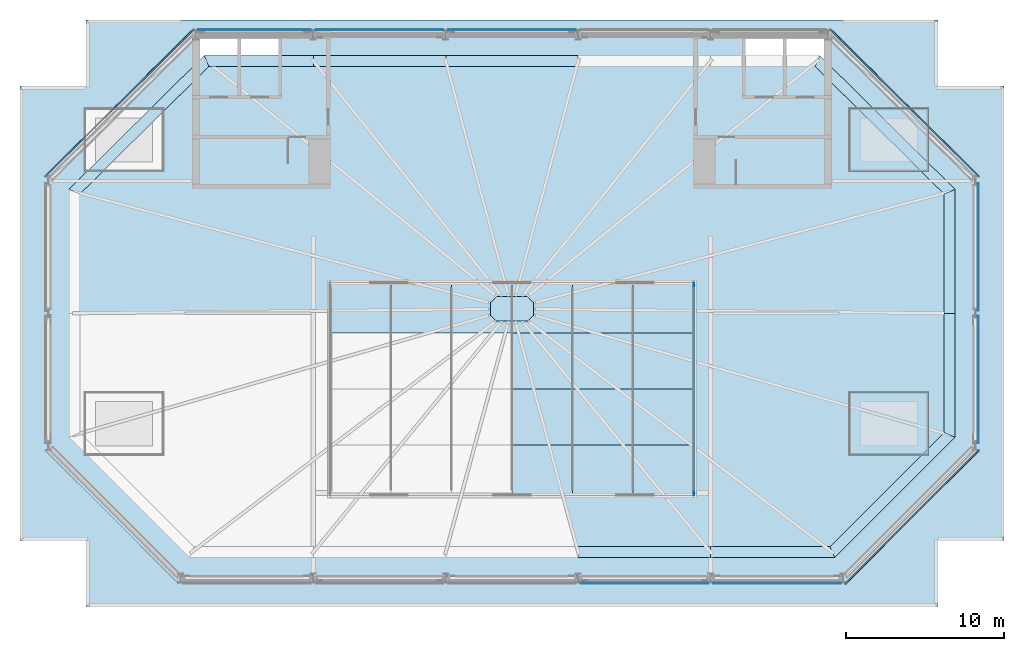
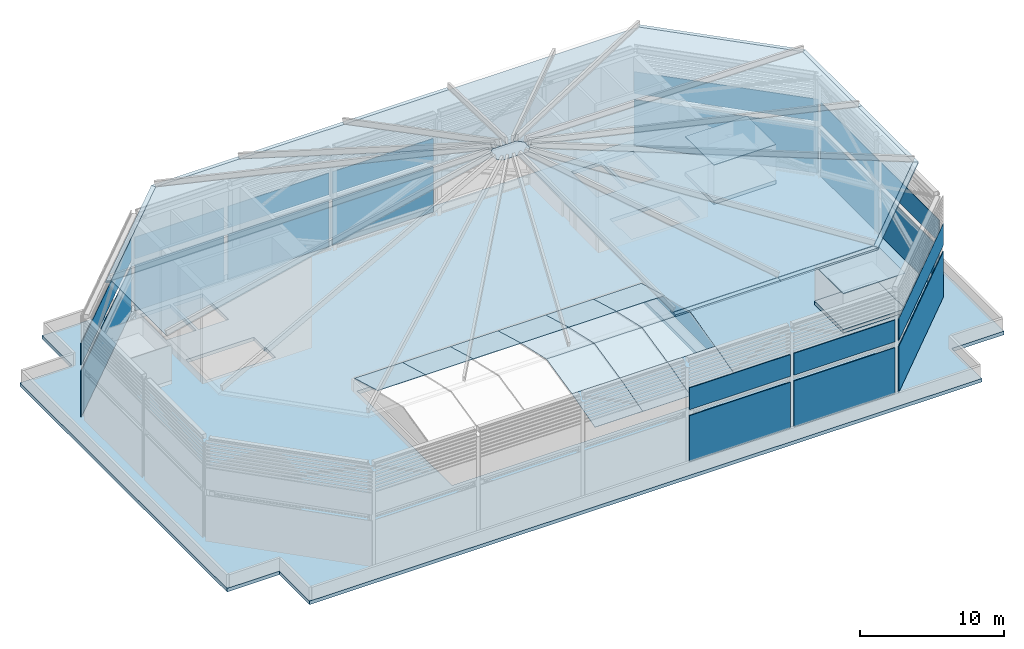
# One storey, part 6 of 22: 62 plates, 3 slabs.
"""IFC4 building model written with IfcOpenShell, lengths in metres."""

import ifcopenshell
import ifcopenshell.guid

model = None  # the IFC model being written
_history = None  # IfcOwnerHistory: only IFC2X3 demands one
_inside = {}  # id of a spatial element -> (the spatial element, [elements in it])
_under = {}  # id of a project, library or spatial element -> (it, [spatial elements below it])
_declared = {}  # id of a project -> (the project, [libraries it declares])
_typed = {}  # id of a type object -> (the type object, [elements of that type])
_made_of = {}  # id of a material, layer set ... -> (it, [elements and type objects made of it])


def new_model(schema):
    """Start an empty IFC model of exactly this schema.

    Asked for "IFC4X3", IfcOpenShell would pick the latest addendum, in which some entities
    have other attributes; the version numbers below select the first issue.
    IFC2X3 requires an IfcOwnerHistory on every rooted entity: one is made here for all.
    """
    global model, _history
    if schema == "IFC4X3":
        model = ifcopenshell.file(schema_version=(4, 3, 0, 0))
    else:
        model = ifcopenshell.file(schema=schema)
    _inside.clear()
    _under.clear()
    _declared.clear()
    _typed.clear()
    _made_of.clear()
    _history = None
    if model.schema == "IFC2X3":
        org = make("IfcOrganization", Name="unknown")
        user = make(
            "IfcPersonAndOrganization",
            ThePerson=make("IfcPerson", FamilyName="unknown"),
            TheOrganization=org,
        )
        app = make(
            "IfcApplication",
            ApplicationDeveloper=org,
            Version="unknown",
            ApplicationFullName="unknown",
            ApplicationIdentifier="unknown",
        )
        _history = make(
            "IfcOwnerHistory",
            OwningUser=user,
            OwningApplication=app,
            ChangeAction="ADDED",
            CreationDate=0,
        )
    return model


def make(cls, **values):
    """One entity of the class cls with the attributes given. An attribute that is None is left unset."""
    return model.create_entity(
        cls, **{name: value for name, value in values.items() if value is not None}
    )


def rooted(cls, **values):
    """An entity with a GlobalId (a new one), such as an element, a storey or a relation."""
    return make(cls, GlobalId=ifcopenshell.guid.new(), OwnerHistory=_history, **values)


def si_unit(unit_type, name, prefix=None):
    """IfcSIUnit, for example si_unit("LENGTHUNIT", "METRE", prefix="MILLI")."""
    return make("IfcSIUnit", UnitType=unit_type, Prefix=prefix, Name=name)


def assignment(units):
    """IfcUnitAssignment: the units of a project."""
    return None if units is None else make("IfcUnitAssignment", Units=units)


def point(xyz):
    """IfcCartesianPoint."""
    return None if xyz is None else make("IfcCartesianPoint", Coordinates=xyz)


def direction(xyz):
    """IfcDirection."""
    return None if xyz is None else make("IfcDirection", DirectionRatios=xyz)


def frame(location, z_axis=None, x_axis=None):
    """IfcAxis2Placement3D, a coordinate frame: its origin and axes. An axis left out is left unset."""
    return make(
        "IfcAxis2Placement3D",
        Location=point(location),
        Axis=direction(z_axis),
        RefDirection=direction(x_axis),
    )


def frame_2d(location, x_axis=None):
    """IfcAxis2Placement2D, a coordinate frame in the plane: its origin and x axis."""
    return make(
        "IfcAxis2Placement2D", Location=point(location), RefDirection=direction(x_axis)
    )


def origin():
    """The frame at (0, 0, 0) with its axes left unset."""
    return frame((0.0, 0.0, 0.0))


def origin_2d():
    """The frame at (0, 0) in the plane with its x axis left unset."""
    return frame_2d((0.0, 0.0))


def place(relative_to, where):
    """IfcLocalPlacement: puts the frame where relative to a parent placement (None: the world)."""
    return make(
        "IfcLocalPlacement", PlacementRelTo=relative_to, RelativePlacement=where
    )


def context(
    kind, dimensions, precision=None, world=None, true_north=None, identifier=None
):
    """IfcGeometricRepresentationContext, for example the 3D "Model" context."""
    return make(
        "IfcGeometricRepresentationContext",
        ContextIdentifier=identifier,
        ContextType=kind,
        CoordinateSpaceDimension=dimensions,
        Precision=precision,
        WorldCoordinateSystem=world,
        TrueNorth=true_north,
    )


def subcontext(parent, identifier, kind, view, scale=None):
    """IfcGeometricRepresentationSubContext, for example "Body" below "Model"."""
    return make(
        "IfcGeometricRepresentationSubContext",
        ContextIdentifier=identifier,
        ContextType=kind,
        ParentContext=parent,
        TargetScale=scale,
        TargetView=view,
    )


def project(units=None, contexts=None):
    """IfcProject with its units and contexts."""
    return rooted(
        "IfcProject",
        Name="project",
        RepresentationContexts=contexts,
        UnitsInContext=assignment(units),
    )


def spatial(cls, under=None, at=None, **own):
    """A site, building, storey or space (cls), placed at a placement, below another one or the project."""
    s = rooted(cls, ObjectPlacement=at, **own)
    if under is not None:
        _under.setdefault(under.id(), (under, []))[1].append(s)
    return s


def polyline(points):
    """IfcPolyline through the points."""
    return make("IfcPolyline", Points=[point(p) for p in points])


def profile(cls, at=None, kind="AREA", **sizes):
    """A parametric profile (cls). Its sizes go by their IFC names, for example OverallWidth=200.0."""
    return make(cls, ProfileType=kind, Position=at, **sizes)


def rectangle(**sizes):
    """IfcRectangleProfileDef."""
    return profile("IfcRectangleProfileDef", **sizes)


def outline(outer, holes=None, kind="AREA"):
    """IfcArbitraryClosedProfileDef: a profile drawn as a closed curve; with holes, ...WithVoids."""
    if holes is None:
        return make("IfcArbitraryClosedProfileDef", ProfileType=kind, OuterCurve=outer)
    return make(
        "IfcArbitraryProfileDefWithVoids",
        ProfileType=kind,
        OuterCurve=outer,
        InnerCurves=holes,
    )


def extrude(swept, where, along, depth):
    """IfcExtrudedAreaSolid: the profile swept, set in the frame where, extruded along a direction by depth."""
    return make(
        "IfcExtrudedAreaSolid",
        SweptArea=swept,
        Position=where,
        ExtrudedDirection=direction(along),
        Depth=depth,
    )


def shape(context_of_items, identifier, shape_type, items):
    """IfcShapeRepresentation: the items that make up one representation, for example the "Body"."""
    return make(
        "IfcShapeRepresentation",
        ContextOfItems=context_of_items,
        RepresentationIdentifier=identifier,
        RepresentationType=shape_type,
        Items=items,
    )


def material(Name=None, Category=None):
    """IfcMaterial."""
    return make("IfcMaterial", Name=Name, Category=Category)


def layer(
    of_material, thickness, ventilated=None, Name=None, Category=None, Priority=None
):
    """IfcMaterialLayer: one layer of a wall or slab, of a material (None: an air gap)."""
    return make(
        "IfcMaterialLayer",
        Material=of_material,
        LayerThickness=thickness,
        IsVentilated=ventilated,
        Name=Name,
        Category=Category,
        Priority=Priority,
    )


def layer_set(layers, Name=None):
    """IfcMaterialLayerSet."""
    return make("IfcMaterialLayerSet", MaterialLayers=layers, LayerSetName=Name)


def made_of(thing, what):
    """Note that an element or type object is made of a material, layer set ...; save() writes the relation."""
    if what is not None:
        _made_of.setdefault(what.id(), (what, []))[1].append(thing)
    return thing


def type_object(cls, material=None, **own):
    """A type object (cls), such as IfcWallType, which elements share."""
    return made_of(rooted(cls, **own), material)


def element(
    cls,
    number,
    at=None,
    inside=None,
    cuts=None,
    type_object=None,
    material=None,
    context=None,
    identifier="Body",
    shape_type=None,
    held_by="IfcProductDefinitionShape",
    body=None,
    shapes=None,
    **own,
):
    """One element of the class cls, such as IfcWall. Its Tag is "e" and its number.

    at: its placement. inside: the storey or other place that contains it. cuts: it is an
    opening in that element (IfcRelVoidsElement). A single representation is given by context,
    identifier, shape_type and body (its items); several are given by shapes. held_by: the class
    of the entity that holds the representations. save() writes the other relations.
    """
    e = rooted(cls, Tag="e%d" % number, ObjectPlacement=at, **own)
    if body is not None:
        shapes = [shape(context, identifier, shape_type, body)]
    if shapes is not None:
        e.Representation = make(held_by, Representations=shapes)
    if inside is not None:
        _inside.setdefault(inside.id(), (inside, []))[1].append(e)
    if cuts is not None:
        rooted(
            "IfcRelVoidsElement", RelatingBuildingElement=cuts, RelatedOpeningElement=e
        )
    if type_object is not None:
        _typed.setdefault(type_object.id(), (type_object, []))[1].append(e)
    return made_of(e, material)


def aggregate(whole, parts):
    """IfcRelAggregates: a whole, such as a stair, and the parts it consists of."""
    return rooted("IfcRelAggregates", RelatingObject=whole, RelatedObjects=parts)


def save(model, path):
    """Write the relations noted so far, then the file.

    IfcRelAggregates (storeys below a building ...), IfcRelContainedInSpatialStructure (elements
    in a storey), IfcRelDefinesByType, IfcRelAssociatesMaterial and IfcRelDeclares: one each for
    every whole, place, type object, material and project.
    """
    for whole, parts in _under.values():
        aggregate(whole, parts)
    for where, things in _inside.values():
        rooted(
            "IfcRelContainedInSpatialStructure",
            RelatedElements=things,
            RelatingStructure=where,
        )
    for kind, things in _typed.values():
        rooted("IfcRelDefinesByType", RelatedObjects=things, RelatingType=kind)
    for what, things in _made_of.values():
        rooted("IfcRelAssociatesMaterial", RelatedObjects=things, RelatingMaterial=what)
    for by, libraries in _declared.values():
        rooted("IfcRelDeclares", RelatingContext=by, RelatedDefinitions=libraries)
    model.write(path)


model = new_model("IFC4")

# Units and contexts
model_context = context("Model", 3, precision=1e-05, world=origin(), true_north=direction((0.0, 1.0)))
body_context = subcontext(model_context, "Body", "Model", "MODEL_VIEW")
ifc_project = project(units=[si_unit("LENGTHUNIT", "METRE"), si_unit("AREAUNIT", "SQUARE_METRE"), si_unit("VOLUMEUNIT", "CUBIC_METRE"), si_unit("PLANEANGLEUNIT", "RADIAN"), si_unit("MASSUNIT", "GRAM", prefix="KILO")], contexts=[model_context])

# Site, building, storey
site_placement = place(None, origin())
site = spatial("IfcSite", under=ifc_project, at=site_placement, CompositionType="ELEMENT")
building_placement = place(site_placement, origin())
building = spatial("IfcBuilding", under=site, at=building_placement, Name="Saffron Gate Tower", CompositionType="ELEMENT")
storey_placement = place(building_placement, frame((0.0, 0.0, 314.85009765625)))
storey = spatial("IfcBuildingStorey", under=building, at=storey_placement, Name="Roof crown", CompositionType="ELEMENT", Elevation=314.85009765625)

# Plates
ifc_material_1 = material(Name="Bronze-anodised aluminium cap", Category="aluminium")
ifc_layer_1 = layer(ifc_material_1, 0.14990234375)
ifc_layer_set_1 = layer_set([ifc_layer_1], Name="CP1 crown ring cap")
plate_type_1 = type_object("IfcPlateType", Name="CP1 crown ring cap", PredefinedType="SHEET", material=ifc_layer_set_1)
plate_1_placement = place(storey_placement, frame((0.0, 0.0, 11.349853515625)))
element("IfcPlate", 1, at=plate_1_placement, inside=storey, type_object=plate_type_1, Name="CROWN RING CAP", PredefinedType="SHEET", context=body_context, shape_type="SweptSolid", body=[
    extrude(outline(polyline([(91.800048828125, 42.199951171875), (100.199951171875, 42.199951171875), (100.199951171875, 41.5), (91.800048828125, 41.5), (91.800048828125, 42.199951171875)])), origin(), (0.0, 0.0, 1.0), 0.150146484375),
])
plate_2_placement = place(storey_placement, frame((0.0, 0.0, 11.349853515625)))
element("IfcPlate", 2, at=plate_2_placement, inside=storey, type_object=plate_type_1, Name="CROWN RING CAP", PredefinedType="SHEET", context=body_context, shape_type="SweptSolid", body=[
    extrude(outline(polyline([(100.199951171875, 42.199951171875), (107.771484375, 42.199951171875), (108.0615234375, 41.5), (100.199951171875, 41.5), (100.199951171875, 42.199951171875)])), origin(), (0.0, 0.0, 1.0), 0.150146484375),
])
plate_3_placement = place(storey_placement, frame((0.0, 0.0, 11.349853515625)))
element("IfcPlate", 3, at=plate_3_placement, inside=storey, type_object=plate_type_1, Name="CROWN RING CAP", PredefinedType="SHEET", context=body_context, shape_type="SweptSolid", body=[
    extrude(outline(polyline([(107.771484375, 42.199951171875), (115.0, 49.428466796875), (115.699951171875, 49.138427734375), (108.0615234375, 41.5), (107.771484375, 42.199951171875)])), origin(), (0.0, 0.0, 1.0), 0.150146484375),
])
plate_4_placement = place(storey_placement, frame((0.0, 0.0, 11.349853515625)))
element("IfcPlate", 4, at=plate_4_placement, inside=storey, type_object=plate_type_1, Name="CROWN RING CAP", PredefinedType="SHEET", context=body_context, shape_type="SweptSolid", body=[
    extrude(outline(polyline([(115.0, 49.428466796875), (115.0, 57.0), (115.699951171875, 57.0), (115.699951171875, 49.138427734375), (115.0, 49.428466796875)])), origin(), (0.0, 0.0, 1.0), 0.150146484375),
])
plate_5_placement = place(storey_placement, frame((0.0, 0.0, 11.349853515625)))
element("IfcPlate", 5, at=plate_5_placement, inside=storey, type_object=plate_type_1, Name="CROWN RING CAP", PredefinedType="SHEET", context=body_context, shape_type="SweptSolid", body=[
    extrude(outline(polyline([(115.0, 57.0), (115.0, 64.565185546875), (115.699951171875, 64.857421875), (115.699951171875, 57.0), (115.0, 57.0)])), origin(), (0.0, 0.0, 1.0), 0.150146484375),
])
plate_6_placement = place(storey_placement, frame((0.0, 0.0, 11.349853515625)))
element("IfcPlate", 6, at=plate_6_placement, inside=storey, type_object=plate_type_1, Name="CROWN RING CAP", PredefinedType="SHEET", context=body_context, shape_type="SweptSolid", body=[
    extrude(outline(polyline([(115.0, 64.565185546875), (106.827880859375, 72.64990234375), (107.115478515625, 73.35009765625), (115.699951171875, 64.857421875), (115.0, 64.565185546875)])), origin(), (0.0, 0.0, 1.0), 0.150146484375),
])
plate_7_placement = place(storey_placement, frame((0.0, 0.0, 11.349853515625)))
element("IfcPlate", 7, at=plate_7_placement, inside=storey, type_object=plate_type_1, Name="CROWN RING CAP", PredefinedType="SHEET", context=body_context, shape_type="SweptSolid", body=[
    extrude(outline(polyline([(91.800048828125, 72.64990234375), (83.39990234375, 72.64990234375), (83.39990234375, 73.35009765625), (91.800048828125, 73.35009765625), (91.800048828125, 72.64990234375)])), origin(), (0.0, 0.0, 1.0), 0.150146484375),
])
plate_8_placement = place(storey_placement, frame((0.0, 0.0, 11.349853515625)))
element("IfcPlate", 8, at=plate_8_placement, inside=storey, type_object=plate_type_1, Name="CROWN RING CAP", PredefinedType="SHEET", context=body_context, shape_type="SweptSolid", body=[
    extrude(outline(polyline([(83.39990234375, 72.64990234375), (75.0, 72.64990234375), (75.0, 73.35009765625), (83.39990234375, 73.35009765625), (83.39990234375, 72.64990234375)])), origin(), (0.0, 0.0, 1.0), 0.150146484375),
])
plate_9_placement = place(storey_placement, frame((0.0, 0.0, 11.349853515625)))
element("IfcPlate", 9, at=plate_9_placement, inside=storey, type_object=plate_type_1, Name="CROWN RING CAP", PredefinedType="SHEET", context=body_context, shape_type="SweptSolid", body=[
    extrude(outline(polyline([(75.0, 72.64990234375), (68.3720703125, 72.64990234375), (68.08447265625, 73.35009765625), (75.0, 73.35009765625), (75.0, 72.64990234375)])), origin(), (0.0, 0.0, 1.0), 0.150146484375),
])
plate_10_placement = place(storey_placement, frame((0.0, 0.0, 11.349853515625)))
element("IfcPlate", 10, at=plate_10_placement, inside=storey, type_object=plate_type_1, Name="CROWN RING CAP", PredefinedType="SHEET", context=body_context, shape_type="SweptSolid", body=[
    extrude(outline(polyline([(68.3720703125, 72.64990234375), (60.199951171875, 64.565185546875), (59.5, 64.857421875), (68.08447265625, 73.35009765625), (68.3720703125, 72.64990234375)])), origin(), (0.0, 0.0, 1.0), 0.150146484375),
])
ifc_material_2 = material(Name="Perforated bronze sheet, geometric pattern")
ifc_layer_2 = layer(ifc_material_2, 0.06005859375)
ifc_layer_set_2 = layer_set([ifc_layer_2], Name="CS1 crown screen")
plate_type_2 = type_object("IfcPlateType", Name="CS1 crown screen", PredefinedType="SHEET", material=ifc_layer_set_2)
plate_11_placement = place(storey_placement, frame((96.0, 39.8701171875, 0.0), z_axis=(0.0, 0.0, 1.0), x_axis=(1.0, 0.0, 0.0)))
element("IfcPlate", 11, at=plate_11_placement, inside=storey, type_object=plate_type_2, Name="CROWN SCREEN geometric 4", PredefinedType="SHEET", context=body_context, shape_type="SweptSolid", body=[
    extrude(rectangle(XDim=8.10009765625, YDim=0.06005859375, at=origin_2d()), origin(), (0.0, 0.0, 1.0), 3.89990234375),
])
plate_12_placement = place(storey_placement, frame((96.0, 39.8701171875, 4.39990234375), z_axis=(0.0, 0.0, 1.0), x_axis=(1.0, 0.0, 0.0)))
element("IfcPlate", 12, at=plate_12_placement, inside=storey, type_object=plate_type_2, Name="CROWN SCREEN geometric 4", PredefinedType="SHEET", context=body_context, shape_type="SweptSolid", body=[
    extrude(rectangle(XDim=8.10009765625, YDim=0.06005859375, at=origin_2d()), origin(), (0.0, 0.0, 1.0), 1.85009765625),
])
plate_13_placement = place(storey_placement, frame((104.39990234375, 39.8701171875, 0.0), z_axis=(0.0, 0.0, 1.0), x_axis=(1.0, 0.0, 0.0)))
element("IfcPlate", 13, at=plate_13_placement, inside=storey, type_object=plate_type_2, Name="CROWN SCREEN geometric 5", PredefinedType="SHEET", context=body_context, shape_type="SweptSolid", body=[
    extrude(rectangle(XDim=8.10009765625, YDim=0.06005859375, at=origin_2d()), origin(), (0.0, 0.0, 1.0), 3.89990234375),
])
plate_14_placement = place(storey_placement, frame((104.39990234375, 39.8701171875, 4.39990234375), z_axis=(0.0, 0.0, 1.0), x_axis=(1.0, 0.0, 0.0)))
element("IfcPlate", 14, at=plate_14_placement, inside=storey, type_object=plate_type_2, Name="CROWN SCREEN geometric 5", PredefinedType="SHEET", context=body_context, shape_type="SweptSolid", body=[
    extrude(rectangle(XDim=8.10009765625, YDim=0.06005859375, at=origin_2d()), origin(), (0.0, 0.0, 1.0), 1.85009765625),
])
plate_15_placement = place(storey_placement, frame((112.970703125, 44.079345703125, 0.0), z_axis=(0.0, 0.0, 1.0), x_axis=(0.707106781187, 0.707106781187, 0.0)))
element("IfcPlate", 15, at=plate_15_placement, inside=storey, type_object=plate_type_2, Name="CROWN SCREEN geometric 6", PredefinedType="SHEET", context=body_context, shape_type="SweptSolid", body=[
    extrude(rectangle(XDim=11.9794921875, YDim=0.06005859375, at=origin_2d()), origin(), (0.0, 0.0, 1.0), 3.89990234375),
])
plate_16_placement = place(storey_placement, frame((112.970703125, 44.079345703125, 4.39990234375), z_axis=(0.0, 0.0, 1.0), x_axis=(0.707106781187, 0.707106781187, 0.0)))
element("IfcPlate", 16, at=plate_16_placement, inside=storey, type_object=plate_type_2, Name="CROWN SCREEN geometric 6", PredefinedType="SHEET", context=body_context, shape_type="SweptSolid", body=[
    extrude(rectangle(XDim=11.9794921875, YDim=0.06005859375, at=origin_2d()), origin(), (0.0, 0.0, 1.0), 1.85009765625),
])
plate_17_placement = place(storey_placement, frame((117.179931640625, 52.800048828125, 0.0), z_axis=(0.0, 0.0, 1.0), x_axis=(0.0, 1.0, 0.0)))
element("IfcPlate", 17, at=plate_17_placement, inside=storey, type_object=plate_type_2, Name="CROWN SCREEN geometric 7", PredefinedType="SHEET", context=body_context, shape_type="SweptSolid", body=[
    extrude(rectangle(XDim=8.10009765625, YDim=0.06005859375, at=origin_2d()), origin(), (0.0, 0.0, 1.0), 3.89990234375),
])
plate_18_placement = place(storey_placement, frame((117.179931640625, 52.800048828125, 4.39990234375), z_axis=(0.0, 0.0, 1.0), x_axis=(0.0, 1.0, 0.0)))
element("IfcPlate", 18, at=plate_18_placement, inside=storey, type_object=plate_type_2, Name="CROWN SCREEN geometric 7", PredefinedType="SHEET", context=body_context, shape_type="SweptSolid", body=[
    extrude(rectangle(XDim=8.10009765625, YDim=0.06005859375, at=origin_2d()), origin(), (0.0, 0.0, 1.0), 1.85009765625),
])
plate_19_placement = place(storey_placement, frame((117.179931640625, 61.199951171875, 0.0), z_axis=(0.0, 0.0, 1.0), x_axis=(0.0, 1.0, 0.0)))
element("IfcPlate", 19, at=plate_19_placement, inside=storey, type_object=plate_type_2, Name="CROWN SCREEN geometric 8", PredefinedType="SHEET", context=body_context, shape_type="SweptSolid", body=[
    extrude(rectangle(XDim=8.10009765625, YDim=0.06005859375, at=origin_2d()), origin(), (0.0, 0.0, 1.0), 3.89990234375),
])
plate_20_placement = place(storey_placement, frame((117.179931640625, 61.199951171875, 4.39990234375), z_axis=(0.0, 0.0, 1.0), x_axis=(0.0, 1.0, 0.0)))
element("IfcPlate", 20, at=plate_20_placement, inside=storey, type_object=plate_type_2, Name="CROWN SCREEN geometric 8", PredefinedType="SHEET", context=body_context, shape_type="SweptSolid", body=[
    extrude(rectangle(XDim=8.10009765625, YDim=0.06005859375, at=origin_2d()), origin(), (0.0, 0.0, 1.0), 1.85009765625),
])
plate_21_placement = place(storey_placement, frame((112.49560546875, 70.345703125, 0.0), z_axis=(0.0, 0.0, 1.0), x_axis=(-0.710898156335, 0.703294967507, 0.0)))
element("IfcPlate", 21, at=plate_21_placement, inside=storey, type_object=plate_type_2, Name="CROWN SCREEN geometric 9", PredefinedType="SHEET", context=body_context, shape_type="SweptSolid", body=[
    extrude(rectangle(XDim=13.25244140625, YDim=0.06005859375, at=origin_2d()), origin(), (0.0, 0.0, 1.0), 3.89990234375),
])
plate_22_placement = place(storey_placement, frame((112.49560546875, 70.345703125, 4.39990234375), z_axis=(0.0, 0.0, 1.0), x_axis=(-0.710898156335, 0.703294967507, 0.0)))
element("IfcPlate", 22, at=plate_22_placement, inside=storey, type_object=plate_type_2, Name="CROWN SCREEN geometric 9", PredefinedType="SHEET", context=body_context, shape_type="SweptSolid", body=[
    extrude(rectangle(XDim=13.25244140625, YDim=0.06005859375, at=origin_2d()), origin(), (0.0, 0.0, 1.0), 1.85009765625),
])
plate_23_placement = place(storey_placement, frame((87.60009765625, 74.97998046875, 0.0), z_axis=(0.0, 0.0, 1.0), x_axis=(-1.0, 0.0, 0.0)))
element("IfcPlate", 23, at=plate_23_placement, inside=storey, type_object=plate_type_2, Name="CROWN SCREEN geometric 12", PredefinedType="SHEET", context=body_context, shape_type="SweptSolid", body=[
    extrude(rectangle(XDim=8.10009765625, YDim=0.06005859375, at=origin_2d()), origin(), (0.0, 0.0, 1.0), 3.89990234375),
])
plate_24_placement = place(storey_placement, frame((87.60009765625, 74.97998046875, 4.39990234375), z_axis=(0.0, 0.0, 1.0), x_axis=(-1.0, 0.0, 0.0)))
element("IfcPlate", 24, at=plate_24_placement, inside=storey, type_object=plate_type_2, Name="CROWN SCREEN geometric 12", PredefinedType="SHEET", context=body_context, shape_type="SweptSolid", body=[
    extrude(rectangle(XDim=8.10009765625, YDim=0.06005859375, at=origin_2d()), origin(), (0.0, 0.0, 1.0), 1.85009765625),
])
plate_25_placement = place(storey_placement, frame((79.199951171875, 74.97998046875, 0.0), z_axis=(0.0, 0.0, 1.0), x_axis=(-1.0, 0.0, 0.0)))
element("IfcPlate", 25, at=plate_25_placement, inside=storey, type_object=plate_type_2, Name="CROWN SCREEN geometric 13", PredefinedType="SHEET", context=body_context, shape_type="SweptSolid", body=[
    extrude(rectangle(XDim=8.10009765625, YDim=0.06005859375, at=origin_2d()), origin(), (0.0, 0.0, 1.0), 3.89990234375),
])
plate_26_placement = place(storey_placement, frame((79.199951171875, 74.97998046875, 4.39990234375), z_axis=(0.0, 0.0, 1.0), x_axis=(-1.0, 0.0, 0.0)))
element("IfcPlate", 26, at=plate_26_placement, inside=storey, type_object=plate_type_2, Name="CROWN SCREEN geometric 13", PredefinedType="SHEET", context=body_context, shape_type="SweptSolid", body=[
    extrude(rectangle(XDim=8.10009765625, YDim=0.06005859375, at=origin_2d()), origin(), (0.0, 0.0, 1.0), 1.85009765625),
])
plate_27_placement = place(storey_placement, frame((71.27490234375, 74.97998046875, 0.0), z_axis=(0.0, 0.0, 1.0), x_axis=(-1.0, 0.0, 0.0)))
element("IfcPlate", 27, at=plate_27_placement, inside=storey, type_object=plate_type_2, Name="CROWN SCREEN geometric 14", PredefinedType="SHEET", context=body_context, shape_type="SweptSolid", body=[
    extrude(rectangle(XDim=7.14990234375, YDim=0.06005859375, at=origin_2d()), origin(), (0.0, 0.0, 1.0), 3.89990234375),
])
plate_28_placement = place(storey_placement, frame((71.27490234375, 74.97998046875, 4.39990234375), z_axis=(0.0, 0.0, 1.0), x_axis=(-1.0, 0.0, 0.0)))
element("IfcPlate", 28, at=plate_28_placement, inside=storey, type_object=plate_type_2, Name="CROWN SCREEN geometric 14", PredefinedType="SHEET", context=body_context, shape_type="SweptSolid", body=[
    extrude(rectangle(XDim=7.14990234375, YDim=0.06005859375, at=origin_2d()), origin(), (0.0, 0.0, 1.0), 1.85009765625),
])
plate_29_placement = place(storey_placement, frame((62.704345703125, 70.345703125, 0.0), z_axis=(0.0, 0.0, 1.0), x_axis=(-0.710898156335, -0.703294967507, 0.0)))
element("IfcPlate", 29, at=plate_29_placement, inside=storey, type_object=plate_type_2, Name="CROWN SCREEN geometric 15", PredefinedType="SHEET", context=body_context, shape_type="SweptSolid", body=[
    extrude(rectangle(XDim=13.25244140625, YDim=0.06005859375, at=origin_2d()), origin(), (0.0, 0.0, 1.0), 3.89990234375),
])
plate_30_placement = place(storey_placement, frame((62.704345703125, 70.345703125, 4.39990234375), z_axis=(0.0, 0.0, 1.0), x_axis=(-0.710898156335, -0.703294967507, 0.0)))
element("IfcPlate", 30, at=plate_30_placement, inside=storey, type_object=plate_type_2, Name="CROWN SCREEN geometric 15", PredefinedType="SHEET", context=body_context, shape_type="SweptSolid", body=[
    extrude(rectangle(XDim=13.25244140625, YDim=0.06005859375, at=origin_2d()), origin(), (0.0, 0.0, 1.0), 1.85009765625),
])
ifc_material_3 = material(Name="Clear low-iron laminated glass in bronze frame", Category="glass")
ifc_layer_3 = layer(ifc_material_3, 0.0400390625)
ifc_layer_set_3 = layer_set([ifc_layer_3], Name="DM1 glass roof pane")
plate_type_3 = type_object("IfcPlateType", Name="DM1 glass roof pane", PredefinedType="SHEET", material=ifc_layer_set_3)
plate_31_placement = place(storey_placement, frame((91.800048828125, 41.85009765625, 11.537109375), z_axis=(0.0, -0.368969047618, 0.929441682894), x_axis=(1.0, 0.0, 0.0)))
element("IfcPlate", 31, at=plate_31_placement, inside=storey, type_object=plate_type_3, Name="FACETED GLASS ROOF pane", PredefinedType="SHEET", context=body_context, shape_type="SweptSolid", body=[
    extrude(outline(polyline([(0.0, 0.0), (8.39990234375, 0.0), (-3.570068359375, 15.77386611953172), (-3.989990234375, 15.77386611953172), (0.0, 0.0)])), origin(), (0.0, 0.0, -1.0), 0.0400390625),
])
plate_32_placement = place(storey_placement, frame((100.199951171875, 41.85009765625, 11.537109375), z_axis=(0.0, -0.368969047618, 0.929441682894), x_axis=(1.0, 0.0, 0.0)))
element("IfcPlate", 32, at=plate_32_placement, inside=storey, type_object=plate_type_3, Name="FACETED GLASS ROOF pane", PredefinedType="SHEET", context=body_context, shape_type="SweptSolid", body=[
    extrude(outline(polyline([(0.0, 0.0), (7.716552734375, 0.0), (-11.584228515625, 15.773866119531721), (-11.969970703125, 15.773866119531721), (0.0, 0.0)])), origin(), (0.0, 0.0, -1.0), 0.0400390625),
])
plate_33_placement = place(storey_placement, frame((107.91650390625, 41.85009765625, 11.538818359375), z_axis=(0.166547857087, -0.166553066591, 0.971865159016), x_axis=(0.707118362305, 0.707095199878, -1.79075e-07)))
element("IfcPlate", 33, at=plate_33_placement, inside=storey, type_object=plate_type_3, Name="FACETED GLASS ROOF pane", PredefinedType="SHEET", context=body_context, shape_type="SweptSolid", body=[
    extrude(outline(polyline([(0.0, 0.0), (10.512516466347664, -8.881784197001252e-16), (-2.7554522500747876, 24.709685034992486), (-3.2812938651151455, 24.709676642724734), (0.0, 0.0)])), origin(), (0.0, 0.0, -1.0), 0.0400390625),
])
plate_34_placement = place(storey_placement, frame((115.35009765625, 49.283447265625, 11.5390625), z_axis=(0.215570583364, 0.0, 0.976488260855), x_axis=(0.0, 1.0, 0.0)))
element("IfcPlate", 34, at=plate_34_placement, inside=storey, type_object=plate_type_3, Name="FACETED GLASS ROOF pane", PredefinedType="SHEET", context=body_context, shape_type="SweptSolid", body=[
    extrude(outline(polyline([(0.0, 0.0), (7.716552734375, 0.0), (7.985107421875, 26.997302358799182), (7.599365234375, 26.997302358799182), (0.0, 0.0)])), origin(), (0.0, 0.0, -1.0), 0.0400390625),
])
plate_35_placement = place(storey_placement, frame((115.35009765625, 57.0, 11.5390625), z_axis=(0.215570583364, 0.0, 0.976488260855), x_axis=(0.0, 1.0, 0.0)))
element("IfcPlate", 35, at=plate_35_placement, inside=storey, type_object=plate_type_3, Name="FACETED GLASS ROOF pane", PredefinedType="SHEET", context=body_context, shape_type="SweptSolid", body=[
    extrude(outline(polyline([(0.0, 0.0), (7.711181640625, 0.0), (0.654296875, 26.997302358799182), (0.2685546875, 26.997302358799182), (0.0, 0.0)])), origin(), (0.0, 0.0, -1.0), 0.0400390625),
])
plate_36_placement = place(storey_placement, frame((115.35009765625, 64.711181640625, 11.538818359375), z_axis=(0.168675669623, 0.170502106126, 0.970812829687), x_axis=(-0.710898136842, 0.703294987207, -2.119133e-06)))
element("IfcPlate", 36, at=plate_36_placement, inside=storey, type_object=plate_type_3, Name="FACETED GLASS ROOF pane", PredefinedType="SHEET", context=body_context, shape_type="SweptSolid", body=[
    extrude(outline(polyline([(0.0, 0.0), (11.78568612568327, 0.0), (14.367210055993743, 24.265735136095948), (13.77800283038079, 24.265625795620675), (0.0, 0.0)])), origin(), (0.0, 0.0, -1.0), 0.0400390625),
])
plate_37_placement = place(storey_placement, frame((106.9716796875, 73.0, 11.537109375), z_axis=(0.0, 0.363173236838, 0.931721632273), x_axis=(-1.0, 0.0, 0.0)))
element("IfcPlate", 37, at=plate_37_placement, inside=storey, type_object=plate_type_3, Name="FACETED GLASS ROOF pane", PredefinedType="SHEET", context=body_context, shape_type="SweptSolid", body=[
    extrude(outline(polyline([(0.0, 0.0), (6.771728515625, 0.0), (18.74169921875, 16.025598169223016), (18.403076171875, 16.025598169223016), (0.0, 0.0)])), origin(), (0.0, 0.0, -1.0), 0.0400390625),
])
plate_38_placement = place(storey_placement, frame((100.199951171875, 73.0, 11.537109375), z_axis=(0.0, 0.363173236838, 0.931721632273), x_axis=(-1.0, 0.0, 0.0)))
element("IfcPlate", 38, at=plate_38_placement, inside=storey, type_object=plate_type_3, Name="FACETED GLASS ROOF pane", PredefinedType="SHEET", context=body_context, shape_type="SweptSolid", body=[
    extrude(outline(polyline([(0.0, 0.0), (8.39990234375, 0.0), (12.389892578125, 16.025598169223016), (11.969970703125, 16.025598169223016), (0.0, 0.0)])), origin(), (0.0, 0.0, -1.0), 0.0400390625),
])
plate_39_placement = place(storey_placement, frame((91.800048828125, 73.0, 11.537109375), z_axis=(0.0, 0.363173236838, 0.931721632273), x_axis=(-1.0, 0.0, 0.0)))
element("IfcPlate", 39, at=plate_39_placement, inside=storey, type_object=plate_type_3, Name="FACETED GLASS ROOF pane", PredefinedType="SHEET", context=body_context, shape_type="SweptSolid", body=[
    extrude(outline(polyline([(0.0, 0.0), (8.400146484375, 0.0), (4.41015625, 16.025598169223016), (3.989990234375, 16.025598169223016), (0.0, 0.0)])), origin(), (0.0, 0.0, -1.0), 0.0400390625),
])
plate_40_placement = place(storey_placement, frame((83.39990234375, 73.0, 11.537109375), z_axis=(0.0, 0.363173236838, 0.931721632273), x_axis=(-1.0, 0.0, 0.0)))
element("IfcPlate", 40, at=plate_40_placement, inside=storey, type_object=plate_type_3, Name="FACETED GLASS ROOF pane", PredefinedType="SHEET", context=body_context, shape_type="SweptSolid", body=[
    extrude(outline(polyline([(0.0, 0.0), (8.39990234375, 0.0), (-3.570068359375, 16.025598169223016), (-3.989990234375, 16.025598169223016), (0.0, 0.0)])), origin(), (0.0, 0.0, -1.0), 0.0400390625),
])
plate_41_placement = place(storey_placement, frame((75.0, 73.0, 11.537109375), z_axis=(0.0, 0.363173236838, 0.931721632273), x_axis=(-1.0, 0.0, 0.0)))
element("IfcPlate", 41, at=plate_41_placement, inside=storey, type_object=plate_type_3, Name="FACETED GLASS ROOF pane", PredefinedType="SHEET", context=body_context, shape_type="SweptSolid", body=[
    extrude(outline(polyline([(0.0, 0.0), (6.771728515625, 0.0), (-11.63134765625, 16.025598169223016), (-11.969970703125, 16.025598169223016), (0.0, 0.0)])), origin(), (0.0, 0.0, -1.0), 0.0400390625),
])
plate_42_placement = place(storey_placement, frame((68.228271484375, 73.0, 11.538818359375), z_axis=(-0.168677848796, 0.170499577134, 0.970812895219), x_axis=(-0.710887918539, -0.703305315826, 2.280676e-06)))
element("IfcPlate", 42, at=plate_42_placement, inside=storey, type_object=plate_type_3, Name="FACETED GLASS ROOF pane", PredefinedType="SHEET", context=body_context, shape_type="SweptSolid", body=[
    extrude(outline(polyline([(0.0, 0.0), (11.785512567904046, 0.0), (-1.991973497317951, 24.26565397204227), (-2.581180721236609, 24.265771646130244), (0.0, 0.0)])), origin(), (0.0, 0.0, -1.0), 0.0400390625),
])
plate_43_placement = place(storey_placement, frame((59.85009765625, 64.711181640625, 11.5390625), z_axis=(-0.215572486983, 0.0, 0.976487840608), x_axis=(0.0, -1.0, 0.0)))
element("IfcPlate", 43, at=plate_43_placement, inside=storey, type_object=plate_type_3, Name="FACETED GLASS ROOF pane", PredefinedType="SHEET", context=body_context, shape_type="SweptSolid", body=[
    extrude(outline(polyline([(0.0, 0.0), (7.711181640625, 0.0), (7.442626953125, 26.997063958396172), (7.056884765625, 26.997063958396172), (0.0, 0.0)])), origin(), (0.0, 0.0, -1.0), 0.0400390625),
])
ifc_layer_4 = layer(ifc_material_3, 0.0400390625)
ifc_layer_set_4 = layer_set([ifc_layer_4], Name="DM2 glass roof crown")
plate_type_4 = type_object("IfcPlateType", Name="DM2 glass roof crown", PredefinedType="SHEET", material=ifc_layer_set_4)
plate_44_placement = place(storey_placement, frame((0.0, 0.0, 17.31982421875)))
element("IfcPlate", 44, at=plate_44_placement, inside=storey, type_object=plate_type_4, Name="FACETED GLASS ROOF crown", PredefinedType="SHEET", context=body_context, shape_type="SweptSolid", body=[
    extrude(outline(polyline([(86.582763671875, 56.52587890625), (86.969970703125, 56.52587890625), (87.389892578125, 56.52587890625), (87.81005859375, 56.52587890625), (88.22998046875, 56.52587890625), (88.6171875, 56.52587890625), (88.97900390625, 56.887451171875), (88.97900390625, 57.2685546875), (88.97900390625, 57.649169921875), (88.569580078125, 58.05419921875), (88.22998046875, 58.05419921875), (87.81005859375, 58.05419921875), (87.389892578125, 58.05419921875), (86.969970703125, 58.05419921875), (86.63037109375, 58.05419921875), (86.22119140625, 57.649169921875), (86.22119140625, 57.2685546875), (86.22119140625, 56.887451171875), (86.582763671875, 56.52587890625)])), origin(), (0.0, 0.0, 1.0), 0.0400390625),
])
ifc_material_4 = material(Name="Aluminium louvre, bronze anodised", Category="aluminium")
ifc_layer_5 = layer(ifc_material_4, 0.050048828125)
ifc_layer_set_5 = layer_set([ifc_layer_5], Name="LV1 louvre panel")
plate_type_5 = type_object("IfcPlateType", Name="LV1 louvre panel", PredefinedType="SHEET", material=ifc_layer_set_5)
plate_45_placement = place(storey_placement, frame((0.0, 0.0, 3.2998046875)))
element("IfcPlate", 45, at=plate_45_placement, inside=storey, type_object=plate_type_5, Name="LOUVRE plant enclosure roof", PredefinedType="SHEET", context=body_context, shape_type="SweptSolid", body=[
    extrude(outline(polyline([(109.0, 48.0), (114.0, 48.0), (114.0, 52.0), (109.0, 52.0), (109.0, 48.0)])), origin(), (0.0, 0.0, 1.0), 0.050048828125),
])
plate_46_placement = place(storey_placement, frame((0.0, 0.0, 3.2998046875)))
element("IfcPlate", 46, at=plate_46_placement, inside=storey, type_object=plate_type_5, Name="LOUVRE plant enclosure roof", PredefinedType="SHEET", context=body_context, shape_type="SweptSolid", body=[
    extrude(outline(polyline([(109.0, 66.0), (114.0, 66.0), (114.0, 70.0), (109.0, 70.0), (109.0, 66.0)])), origin(), (0.0, 0.0, 1.0), 0.050048828125),
])

# Slabs
ifc_material_5 = material(Name="Reinforced concrete C35/45", Category="concrete")
ifc_layer_6 = layer(ifc_material_5, 0.300048828125)
ifc_layer_set_6 = layer_set([ifc_layer_6], Name="PLT1 plant plinth")
slab_type_1 = type_object("IfcSlabType", Name="PLT1 plant plinth", PredefinedType="FLOOR", material=ifc_layer_set_6)
slab_1_placement = place(storey_placement, origin())
element("IfcSlab", 47, at=slab_1_placement, inside=storey, type_object=slab_type_1, Name="PLANT PLINTH", PredefinedType="FLOOR", context=body_context, shape_type="SweptSolid", body=[
    extrude(outline(polyline([(109.0, 48.0), (114.0, 48.0), (114.0, 52.0), (109.0, 52.0), (109.0, 48.0)])), origin(), (0.0, 0.0, 1.0), 0.2998046875),
])
slab_2_placement = place(storey_placement, origin())
element("IfcSlab", 48, at=slab_2_placement, inside=storey, type_object=slab_type_1, Name="PLANT PLINTH", PredefinedType="FLOOR", context=body_context, shape_type="SweptSolid", body=[
    extrude(outline(polyline([(109.0, 66.0), (114.0, 66.0), (114.0, 70.0), (109.0, 70.0), (109.0, 66.0)])), origin(), (0.0, 0.0, 1.0), 0.2998046875),
])
ifc_material_6 = material(Name="Concrete C40", Category="concrete")
ifc_layer_7 = layer(ifc_material_6, 0.300048828125)
ifc_layer_set_7 = layer_set([ifc_layer_7], Name="S5 ROOF SLAB 300 CONCRETE C40")
slab_type_2 = type_object("IfcSlabType", Name="S5 ROOF SLAB 300 CONCRETE C40", PredefinedType="ROOF", material=ifc_layer_set_7)
slab_3_placement = place(storey_placement, frame((0.0, 0.0, -0.300048828125)))
element("IfcSlab", 49, at=slab_3_placement, inside=storey, type_object=slab_type_2, Name="S5 ROOF SLAB", PredefinedType="ROOF", context=body_context, shape_type="SweptSolid", body=[
    extrude(outline(polyline([(56.39990234375, 42.60009765625), (60.60009765625, 42.60009765625), (60.60009765625, 38.39990234375), (114.60009765625, 38.39990234375), (114.60009765625, 42.60009765625), (118.800048828125, 42.60009765625), (118.800048828125, 71.39990234375), (114.60009765625, 71.39990234375), (114.60009765625, 75.60009765625), (60.60009765625, 75.60009765625), (60.60009765625, 71.39990234375), (56.39990234375, 71.39990234375), (56.39990234375, 42.60009765625)]), holes=[polyline([(67.800048828125, 65.199951171875), (67.800048828125, 68.050048828125), (73.25, 68.050048828125), (73.25, 66.550048828125), (73.34912109375, 66.550048828125), (73.34912109375, 65.199951171875), (67.800048828125, 65.199951171875)]), polyline([(67.800048828125, 70.800048828125), (67.800048828125, 74.39990234375), (70.199951171875, 74.39990234375), (70.199951171875, 70.800048828125), (67.800048828125, 70.800048828125)]), polyline([(70.39990234375, 70.800048828125), (70.39990234375, 74.39990234375), (72.800048828125, 74.39990234375), (72.800048828125, 70.800048828125), (70.39990234375, 70.800048828125)]), polyline([(76.199951171875, 45.60009765625), (76.199951171875, 58.800048828125), (99.0, 58.800048828125), (99.0, 45.60009765625), (76.199951171875, 45.60009765625)]), polyline([(101.85107421875, 66.699951171875), (101.85107421875, 68.050048828125), (107.39990234375, 68.050048828125), (107.39990234375, 65.199951171875), (101.949951171875, 65.199951171875), (101.949951171875, 66.699951171875), (101.85107421875, 66.699951171875)]), polyline([(102.39990234375, 70.800048828125), (102.39990234375, 74.39990234375), (104.800048828125, 74.39990234375), (104.800048828125, 70.800048828125), (102.39990234375, 70.800048828125)]), polyline([(105.0, 70.800048828125), (105.0, 74.39990234375), (107.39990234375, 74.39990234375), (107.39990234375, 70.800048828125), (105.0, 70.800048828125)])]), origin(), (0.0, 0.0, 1.0), 0.300048828125),
])

# Plates
ifc_layer_8 = layer(ifc_material_3, 0.0400390625)
ifc_layer_set_8 = layer_set([ifc_layer_8], Name="SK1 faceted roof glazing")
plate_type_6 = type_object("IfcPlateType", Name="SK1 faceted roof glazing", PredefinedType="SHEET", material=ifc_layer_set_8)
for number, where, z_axis, x_axis, name in (
    (50, (87.60009765625, 45.449951171875, 1.039794921875), (0.0, -0.270790241578, 0.9626383771), (1.0, 0.0, 0.0), "FACETED GLASS ROOF pane"),
    (51, (91.436767578125, 45.449951171875, 1.039794921875), (0.0, -0.270790241578, 0.9626383771), (1.0, 0.0, 0.0), "FACETED GLASS ROOF pane"),
    (52, (95.2734375, 45.449951171875, 1.039794921875), (0.0, -0.270790241578, 0.9626383771), (1.0, 0.0, 0.0), "FACETED GLASS ROOF pane"),
):
    element("IfcPlate", number, at=place(storey_placement, frame(where, z_axis=z_axis, x_axis=x_axis)), inside=storey, type_object=plate_type_6, Name=name, PredefinedType="SHEET", context=body_context, shape_type="SweptSolid", body=[
        extrude(outline(polyline([(0.0, 0.0), (3.836669921875, 0.0), (3.836669921875, 3.324146686853163), (0.0, 3.324146686853163), (0.0, 0.0)])), origin(), (0.0, 0.0, -1.0), 0.0400390625),
    ])
for number, where, z_axis, x_axis, name in (
    (53, (87.60009765625, 48.64990234375, 1.93994140625), (0.0, -0.219849021395, 0.975533909094), (1.0, 0.0, 0.0), "FACETED GLASS ROOF pane"),
    (54, (91.436767578125, 48.64990234375, 1.93994140625), (0.0, -0.219849021395, 0.975533909094), (1.0, 0.0, 0.0), "FACETED GLASS ROOF pane"),
    (55, (95.2734375, 48.64990234375, 1.93994140625), (0.0, -0.219849021395, 0.975533909094), (1.0, 0.0, 0.0), "FACETED GLASS ROOF pane"),
):
    element("IfcPlate", number, at=place(storey_placement, frame(where, z_axis=z_axis, x_axis=x_axis)), inside=storey, type_object=plate_type_6, Name=name, PredefinedType="SHEET", context=body_context, shape_type="SweptSolid", body=[
        extrude(outline(polyline([(0.0, 0.0), (3.836669921875, 0.0), (3.836669921875, 3.6390829627058343), (0.0, 3.6390829627058343), (0.0, 0.0)])), origin(), (0.0, 0.0, -1.0), 0.0400390625),
    ])
for number, where, z_axis, x_axis, name in (
    (56, (76.090087890625, 55.75, 1.93994140625), (0.0, 0.270790241578, 0.9626383771), (1.0, 0.0, 0.0), "FACETED GLASS ROOF pane"),
    (57, (79.9267578125, 55.75, 1.93994140625), (0.0, 0.270790241578, 0.9626383771), (1.0, 0.0, 0.0), "FACETED GLASS ROOF pane"),
    (58, (83.763427734375, 55.75, 1.93994140625), (0.0, 0.270790241578, 0.9626383771), (1.0, 0.0, 0.0), "FACETED GLASS ROOF pane"),
    (59, (87.60009765625, 55.75, 1.93994140625), (0.0, 0.270790241578, 0.9626383771), (1.0, 0.0, 0.0), "FACETED GLASS ROOF pane"),
    (60, (91.436767578125, 55.75, 1.93994140625), (0.0, 0.270790241578, 0.9626383771), (1.0, 0.0, 0.0), "FACETED GLASS ROOF pane"),
    (61, (95.2734375, 55.75, 1.93994140625), (0.0, 0.270790241578, 0.9626383771), (1.0, 0.0, 0.0), "FACETED GLASS ROOF pane"),
):
    element("IfcPlate", number, at=place(storey_placement, frame(where, z_axis=z_axis, x_axis=x_axis)), inside=storey, type_object=plate_type_6, Name=name, PredefinedType="SHEET", context=body_context, shape_type="SweptSolid", body=[
        extrude(outline(polyline([(0.0, 0.0), (3.836669921875, 0.0), (3.836669921875, 3.324146686853163), (0.0, 3.324146686853163), (0.0, 0.0)])), origin(), (0.0, 0.0, -1.0), 0.0400390625),
    ])
for number, where, z_axis, x_axis, name in (
    (62, (87.60009765625, 52.199951171875, 2.739990234375), (0.0, 0.219849021395, 0.975533909094), (1.0, 0.0, 0.0), "FACETED GLASS ROOF pane"),
    (63, (91.436767578125, 52.199951171875, 2.739990234375), (0.0, 0.219849021395, 0.975533909094), (1.0, 0.0, 0.0), "FACETED GLASS ROOF pane"),
    (64, (95.2734375, 52.199951171875, 2.739990234375), (0.0, 0.219849021395, 0.975533909094), (1.0, 0.0, 0.0), "FACETED GLASS ROOF pane"),
):
    element("IfcPlate", number, at=place(storey_placement, frame(where, z_axis=z_axis, x_axis=x_axis)), inside=storey, type_object=plate_type_6, Name=name, PredefinedType="SHEET", context=body_context, shape_type="SweptSolid", body=[
        extrude(outline(polyline([(0.0, 0.0), (3.836669921875, 0.0), (3.836669921875, 3.6390829627058343), (0.0, 3.6390829627058343), (0.0, 0.0)])), origin(), (0.0, 0.0, -1.0), 0.0400390625),
    ])
ifc_material_7 = material(Name="Clear low-iron laminated glass", Category="glass")
ifc_layer_9 = layer(ifc_material_7, 0.0400390625)
ifc_layer_set_9 = layer_set([ifc_layer_9], Name="SK3 gable glazing")
plate_type_7 = type_object("IfcPlateType", Name="SK3 gable glazing", PredefinedType="SHEET", material=ifc_layer_set_9)
plate_47_placement = place(storey_placement, frame((99.1298828125, 45.449951171875, 1.0), z_axis=(0.0, 0.0, 1.0), x_axis=(0.0, 1.0, 0.0)))
element("IfcPlate", 65, at=plate_47_placement, inside=storey, type_object=plate_type_7, Name="FACETED GLASS ROOF gable glazing", PredefinedType="SHEET", context=body_context, shape_type="SweptSolid", body=[
    extrude(outline(polyline([(0.0, 0.0), (13.5, 0.0), (13.5, 0.02001953125), (6.75, 1.699951171875), (0.0, 0.02001953125), (0.0, 0.0)])), frame((0.0, 0.02001953125, 0.0), z_axis=(0.0, -1.0, 0.0), x_axis=(1.0, 0.0, 0.0)), (0.0, 0.0, 1.0), 0.0400390625),
])

save(model, "model.ifc")
